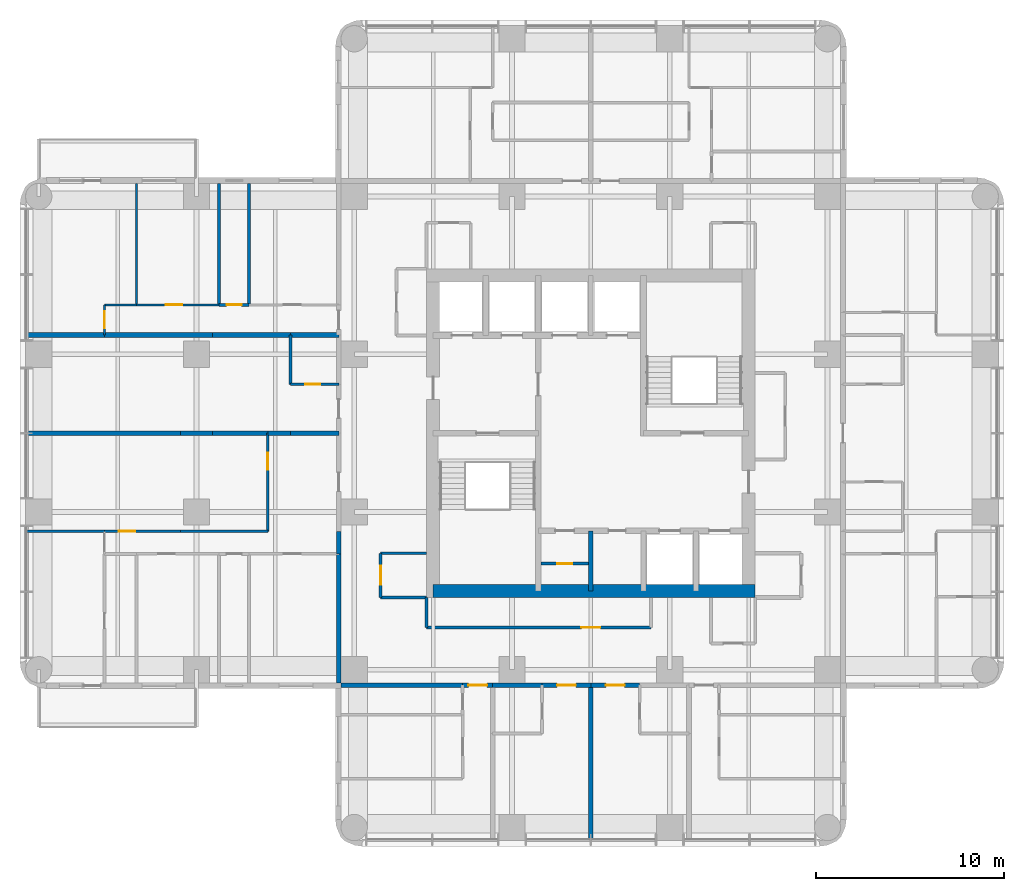
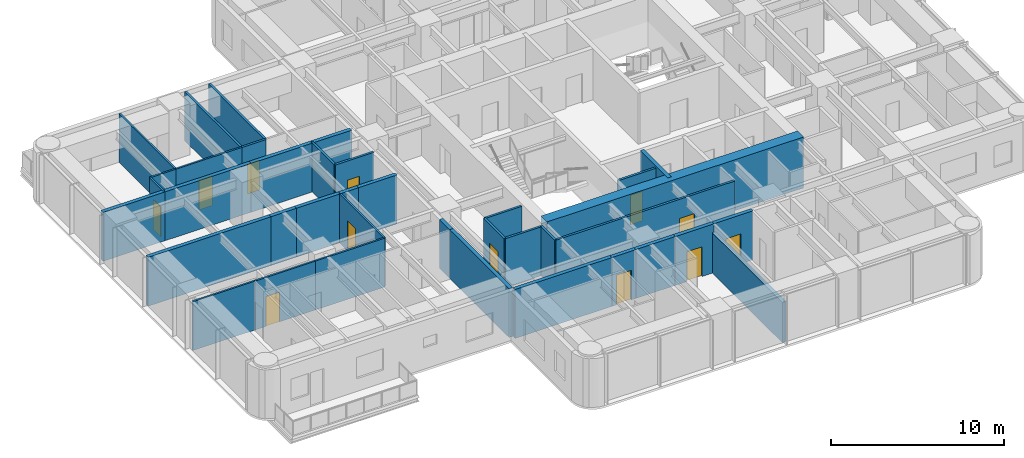
# One storey, part 5 of 11: 38 walls, 12 doors, 12 openings.
"""IFC4 building model written with IfcOpenShell, lengths in metres."""

from ifc_helpers import new_model, si_unit, direction, frame, frame_2d, origin, place, context, subcontext, project, spatial, rectangle, extrude, material, layer, layer_set, type_object, element, fill, save


model = new_model("IFC4")

# Units and contexts
model_context = context("Model", 3, precision=1e-05, world=origin(), true_north=direction((0.0, 1.0)))
body_context = subcontext(model_context, "Body", "Model", "MODEL_VIEW")
ifc_project = project(units=[si_unit("LENGTHUNIT", "METRE"), si_unit("AREAUNIT", "SQUARE_METRE"), si_unit("VOLUMEUNIT", "CUBIC_METRE"), si_unit("PLANEANGLEUNIT", "RADIAN"), si_unit("MASSUNIT", "GRAM", prefix="KILO")], contexts=[model_context])

# Site, building, storey
site_placement = place(None, origin())
site = spatial("IfcSite", under=ifc_project, at=site_placement, CompositionType="ELEMENT")
building_placement = place(site_placement, origin())
building = spatial("IfcBuilding", under=site, at=building_placement, Name="Torre Alcanfor", CompositionType="ELEMENT")
storey_placement = place(building_placement, frame((0.0, 0.0, 233.699951171875)))
storey = spatial("IfcBuildingStorey", under=building, at=storey_placement, Name="L61", CompositionType="ELEMENT", Elevation=233.699951171875)

# Wall, opening, door
ifc_material_1 = material(Name="Concrete block masonry, hollow blocks NMX-C-404 9 MPa", Category="masonry")
ifc_layer_1 = layer(ifc_material_1, 0.25)
ifc_layer_set_1 = layer_set([ifc_layer_1], Name="Apartment entrance wall 250 EI 60")
wall_type_1 = type_object("IfcWallType", Name="Apartment entrance wall 250 EI 60", PredefinedType="PARTITIONING", material=ifc_layer_set_1)
wall_1_placement = place(storey_placement, frame((32.0, 15.97509765625, 0.0), z_axis=(0.0, 0.0, 1.0), x_axis=(-1.0, 0.0, 0.0)))
wall_1 = element("IfcWall", 1, at=wall_1_placement, inside=storey, type_object=wall_type_1, Name="Partition L61-CORR / L61-S1A-STUDIO", PredefinedType="PARTITIONING", context=body_context, shape_type="SweptSolid", body=[
    extrude(rectangle(XDim=2.60009765625, YDim=0.25, at=frame_2d((1.300048828125, 0.0))), origin(), (0.0, 0.0, 1.0), 3.449951171875),
])
opening_1_placement = place(wall_1_placement, frame((0.800048828125, 0.0, 0.0)))
opening_1 = element("IfcOpeningElement", 2, at=opening_1_placement, cuts=wall_1, Name="Opening D-A1", PredefinedType="OPENING", context=body_context, shape_type="SweptSolid", body=[
    extrude(rectangle(XDim=1.0, YDim=2.10009765625, at=frame_2d((0.5, 1.050048828125))), frame((0.0, 0.135009765625, 0.0), z_axis=(0.0, -1.0, 0.0), x_axis=(1.0, 0.0, 0.0)), (0.0, 0.0, 1.0), 0.27001953125),
])
ifc_material_2 = material(Name="Galvanised steel sheet ASTM A653", Category="steel")
door_type_1 = type_object("IfcDoorType", Name="Apartment entrance door FD60 1000x2100", OperationType="SINGLE_SWING_LEFT", PredefinedType="DOOR", material=ifc_material_2)
door_1_placement = place(opening_1_placement, origin())
door_1 = element("IfcDoor", 3, at=door_1_placement, inside=storey, type_object=door_type_1, Name="Apartment entrance L61-S1A", OperationType="SINGLE_SWING_LEFT", OverallHeight=2.10009765625, OverallWidth=1.0, PredefinedType="DOOR", context=body_context, shape_type="SweptSolid", body=[
    extrude(rectangle(XDim=1.0, YDim=2.10009765625, at=frame_2d((0.5, 1.050048828125))), frame((0.0, 0.02490234375, 0.0), z_axis=(0.0, -1.0, 0.0), x_axis=(1.0, 0.0, 0.0)), (0.0, 0.0, 1.0), 0.050048828125),
])
fill(opening_1, door_1)

wall_2_placement = place(storey_placement, frame((29.39990234375, 15.97509765625, 0.0), z_axis=(0.0, 0.0, 1.0), x_axis=(-1.0, 0.0, 0.0)))
wall_2 = element("IfcWall", 4, at=wall_2_placement, inside=storey, type_object=wall_type_1, Name="Partition L61-CORR / L61-S2A-STUDIO", PredefinedType="PARTITIONING", context=body_context, shape_type="SweptSolid", body=[
    extrude(rectangle(XDim=2.599853515625, YDim=0.25, at=frame_2d((1.2998046875, 0.0))), origin(), (0.0, 0.0, 1.0), 3.449951171875),
])
opening_2_placement = place(wall_2_placement, frame((0.800048828125, 0.0, 0.0)))
opening_2 = element("IfcOpeningElement", 5, at=opening_2_placement, cuts=wall_2, Name="Opening D-A1", PredefinedType="OPENING", context=body_context, shape_type="SweptSolid", body=[
    extrude(rectangle(XDim=1.0, YDim=2.10009765625, at=frame_2d((0.5, 1.050048828125))), frame((0.0, 0.135009765625, 0.0), z_axis=(0.0, -1.0, 0.0), x_axis=(1.0, 0.0, 0.0)), (0.0, 0.0, 1.0), 0.27001953125),
])
door_2_placement = place(opening_2_placement, origin())
door_2 = element("IfcDoor", 6, at=door_2_placement, inside=storey, type_object=door_type_1, Name="Apartment entrance L61-S2A", OperationType="SINGLE_SWING_LEFT", OverallHeight=2.10009765625, OverallWidth=1.0, PredefinedType="DOOR", context=body_context, shape_type="SweptSolid", body=[
    extrude(rectangle(XDim=1.0, YDim=2.10009765625, at=frame_2d((0.5, 1.050048828125))), frame((0.0, 0.02490234375, 0.0), z_axis=(0.0, -1.0, 0.0), x_axis=(1.0, 0.0, 0.0)), (0.0, 0.0, 1.0), 0.050048828125),
])
fill(opening_2, door_2)

# Wall
wall_3_placement = place(storey_placement, frame((26.800048828125, 15.97509765625, 0.0), z_axis=(0.0, 0.0, 1.0), x_axis=(-1.0, 0.0, 0.0)))
element("IfcWall", 7, at=wall_3_placement, inside=storey, type_object=wall_type_1, Name="Partition L61-CORR / L61-S2A-BATH", PredefinedType="PARTITIONING", context=body_context, shape_type="SweptSolid", body=[
    extrude(rectangle(XDim=2.629150390625, YDim=0.25, at=frame_2d((1.314453125, 0.0))), origin(), (0.0, 0.0, 1.0), 3.449951171875),
])

# Wall, opening, door
wall_4_placement = place(storey_placement, frame((24.1708984375, 15.97509765625, 0.0), z_axis=(0.0, 0.0, 1.0), x_axis=(-1.0, 0.0, 0.0)))
wall_4 = element("IfcWall", 8, at=wall_4_placement, inside=storey, type_object=wall_type_1, Name="Partition L61-CORR / L61-S2B-LIVING", PredefinedType="PARTITIONING", context=body_context, shape_type="SweptSolid", body=[
    extrude(rectangle(XDim=1.599853515625, YDim=0.25, at=frame_2d((0.7998046875, 0.0))), origin(), (0.0, 0.0, 1.0), 3.449951171875),
])
opening_3_placement = place(wall_4_placement, frame((0.300048828125, 0.0, 0.0)))
opening_3 = element("IfcOpeningElement", 9, at=opening_3_placement, cuts=wall_4, Name="Opening D-A1", PredefinedType="OPENING", context=body_context, shape_type="SweptSolid", body=[
    extrude(rectangle(XDim=1.0, YDim=2.10009765625, at=frame_2d((0.5, 1.050048828125))), frame((0.0, 0.135009765625, 0.0), z_axis=(0.0, -1.0, 0.0), x_axis=(1.0, 0.0, 0.0)), (0.0, 0.0, 1.0), 0.27001953125),
])
door_3_placement = place(opening_3_placement, origin())
door_3 = element("IfcDoor", 10, at=door_3_placement, inside=storey, type_object=door_type_1, Name="Apartment entrance L61-S2B", OperationType="SINGLE_SWING_LEFT", OverallHeight=2.10009765625, OverallWidth=1.0, PredefinedType="DOOR", context=body_context, shape_type="SweptSolid", body=[
    extrude(rectangle(XDim=1.0, YDim=2.10009765625, at=frame_2d((0.5, 1.050048828125))), frame((0.0, 0.02490234375, 0.0), z_axis=(0.0, -1.0, 0.0), x_axis=(1.0, 0.0, 0.0)), (0.0, 0.0, 1.0), 0.050048828125),
])
fill(opening_3, door_3)

# Walls
wall_5_placement = place(storey_placement, frame((22.571044921875, 15.97509765625, 0.0), z_axis=(0.0, 0.0, 1.0), x_axis=(-1.0, 0.0, 0.0)))
element("IfcWall", 11, at=wall_5_placement, inside=storey, type_object=wall_type_1, Name="Partition L61-CORR / L61-S2B-BATH", PredefinedType="PARTITIONING", context=body_context, shape_type="SweptSolid", body=[
    extrude(rectangle(XDim=6.470947265625, YDim=0.25, at=frame_2d((3.2353515625, 0.0))), origin(), (0.0, 0.0, 1.0), 3.449951171875),
])
wall_6_placement = place(storey_placement, frame((15.97509765625, 22.970947265625, 0.0), z_axis=(0.0, 0.0, 1.0), x_axis=(0.0, 1.0, 0.0)))
element("IfcWall", 12, at=wall_6_placement, inside=storey, type_object=wall_type_1, Name="Partition L61-CORR / L61-W1-HALL", PredefinedType="PARTITIONING", context=body_context, shape_type="SweptSolid", body=[
    extrude(rectangle(XDim=1.199951171875, YDim=0.25, at=frame_2d((0.60009765625, 0.0))), origin(), (0.0, 0.0, 1.0), 3.449951171875),
])
wall_7_placement = place(storey_placement, frame((15.97509765625, 16.10009765625, 0.0), z_axis=(0.0, 0.0, 1.0), x_axis=(0.0, 1.0, 0.0)))
element("IfcWall", 13, at=wall_7_placement, inside=storey, type_object=wall_type_1, Name="Partition L61-CORR / L61-W1-BED3", PredefinedType="PARTITIONING", context=body_context, shape_type="SweptSolid", body=[
    extrude(rectangle(XDim=6.870849609375, YDim=0.25, at=frame_2d((3.435546875, 0.0))), origin(), (0.0, 0.0, 1.0), 3.449951171875),
])

# Wall, opening, door
ifc_material_3 = material(Name="Gypsum board on steel studs", Category="steel")
ifc_layer_2 = layer(ifc_material_3, 0.1201171875)
ifc_layer_set_2 = layer_set([ifc_layer_2], Name="Apartment partition 120")
wall_type_2 = type_object("IfcWallType", Name="Apartment partition 120", PredefinedType="PARTITIONING", material=ifc_layer_set_2)
wall_8_placement = place(storey_placement, frame((12.199951171875, 29.39990234375, 0.0), z_axis=(0.0, 0.0, 1.0), x_axis=(0.0, -1.0, 0.0)))
wall_8 = element("IfcWall", 14, at=wall_8_placement, inside=storey, type_object=wall_type_2, Name="Partition L61-W1-ZAG / L61-W1-KITCHEN", PredefinedType="PARTITIONING", context=body_context, shape_type="SweptSolid", body=[
    extrude(rectangle(XDim=5.22900390625, YDim=0.1201171875, at=frame_2d((2.614501953125, 0.0))), origin(), (0.0, 0.0, 1.0), 3.449951171875),
])
opening_4_placement = place(wall_8_placement, frame((1.050048828125, 0.0, 0.0)))
opening_4 = element("IfcOpeningElement", 15, at=opening_4_placement, cuts=wall_8, Name="Opening D-R1", PredefinedType="OPENING", context=body_context, shape_type="SweptSolid", body=[
    extrude(rectangle(XDim=0.89990234375, YDim=2.10009765625, at=frame_2d((0.449951171875, 1.050048828125))), frame((0.0, 0.070068359375, 0.0), z_axis=(0.0, -1.0, 0.0), x_axis=(1.0, 0.0, 0.0)), (0.0, 0.0, 1.0), 0.14013671875),
])
ifc_material_4 = material(Name="Timber", Category="wood")
door_type_2 = type_object("IfcDoorType", Name="Internal door 900x2100", OperationType="SINGLE_SWING_LEFT", PredefinedType="DOOR", material=ifc_material_4)
door_4_placement = place(opening_4_placement, frame((0.89990234375, 0.0, 0.0), z_axis=(0.0, 0.0, 1.0), x_axis=(-1.0, 0.0, 0.0)))
door_4 = element("IfcDoor", 16, at=door_4_placement, inside=storey, type_object=door_type_2, Name="Door L61-W1 kitchen", OperationType="SINGLE_SWING_RIGHT", OverallHeight=2.10009765625, OverallWidth=0.89990234375, PredefinedType="DOOR", context=body_context, shape_type="SweptSolid", body=[
    extrude(rectangle(XDim=0.89990234375, YDim=2.10009765625, at=frame_2d((0.449951171875, 1.050048828125))), frame((0.0, 0.025146484375, 0.0), z_axis=(0.0, -1.0, 0.0), x_axis=(1.0, 0.0, 0.0)), (0.0, 0.0, 1.0), 0.050048828125),
])
fill(opening_4, door_4)

# Wall
wall_9_placement = place(storey_placement, frame((7.550048828125, 24.1708984375, 0.0), z_axis=(0.0, 0.0, 1.0), x_axis=(1.0, 0.0, 0.0)))
element("IfcWall", 17, at=wall_9_placement, inside=storey, type_object=wall_type_2, Name="Partition L61-W1-KITCHEN / L61-W1-HALL", PredefinedType="PARTITIONING", context=body_context, shape_type="SweptSolid", body=[
    extrude(rectangle(XDim=4.64990234375, YDim=0.1201171875, at=frame_2d((2.324951171875, 0.0))), origin(), (0.0, 0.0, 1.0), 3.449951171875),
])

# Wall, opening, door
wall_10_placement = place(storey_placement, frame((3.5, 24.1708984375, 0.0), z_axis=(0.0, 0.0, 1.0), x_axis=(1.0, 0.0, 0.0)))
wall_10 = element("IfcWall", 18, at=wall_10_placement, inside=storey, type_object=wall_type_2, Name="Partition L61-W1-LIVING / L61-W1-HALL", PredefinedType="PARTITIONING", context=body_context, shape_type="SweptSolid", body=[
    extrude(rectangle(XDim=4.050048828125, YDim=0.1201171875, at=frame_2d((2.02490234375, 0.0))), origin(), (0.0, 0.0, 1.0), 3.449951171875),
])
opening_5_placement = place(wall_10_placement, frame((0.75, 0.0, 0.0)))
opening_5 = element("IfcOpeningElement", 19, at=opening_5_placement, cuts=wall_10, Name="Opening D-R1", PredefinedType="OPENING", context=body_context, shape_type="SweptSolid", body=[
    extrude(rectangle(XDim=0.89990234375, YDim=2.10009765625, at=frame_2d((0.449951171875, 1.050048828125))), frame((0.0, 0.070068359375, 0.0), z_axis=(0.0, -1.0, 0.0), x_axis=(1.0, 0.0, 0.0)), (0.0, 0.0, 1.0), 0.14013671875),
])
door_5_placement = place(opening_5_placement, origin())
door_5 = element("IfcDoor", 20, at=door_5_placement, inside=storey, type_object=door_type_2, Name="Door L61-W1 living", OperationType="SINGLE_SWING_RIGHT", OverallHeight=2.10009765625, OverallWidth=0.89990234375, PredefinedType="DOOR", context=body_context, shape_type="SweptSolid", body=[
    extrude(rectangle(XDim=0.89990234375, YDim=2.10009765625, at=frame_2d((0.449951171875, 1.050048828125))), frame((0.0, 0.02490234375, 0.0), z_axis=(0.0, -1.0, 0.0), x_axis=(1.0, 0.0, 0.0)), (0.0, 0.0, 1.0), 0.050048828125),
])
fill(opening_5, door_5)

# Wall
wall_11_placement = place(storey_placement, frame((-0.64990234375, 24.1708984375, 0.0), z_axis=(0.0, 0.0, 1.0), x_axis=(1.0, 0.0, 0.0)))
element("IfcWall", 21, at=wall_11_placement, inside=storey, type_object=wall_type_2, Name="Partition L61-W1-LIVING / L61-W1-MASTER", PredefinedType="PARTITIONING", context=body_context, shape_type="SweptSolid", body=[
    extrude(rectangle(XDim=4.14990234375, YDim=0.1201171875, at=frame_2d((2.074951171875, 0.0))), origin(), (0.0, 0.0, 1.0), 3.449951171875),
])

# Wall, opening, door
wall_12_placement = place(storey_placement, frame((5.199951171875, 36.22900390625, 0.0), z_axis=(0.0, 0.0, 1.0), x_axis=(1.0, 0.0, 0.0)))
wall_12 = element("IfcWall", 22, at=wall_12_placement, inside=storey, type_object=wall_type_2, Name="Partition L61-W2B-HALL / L61-W2B-STUDY", PredefinedType="PARTITIONING", context=body_context, shape_type="SweptSolid", body=[
    extrude(rectangle(XDim=4.400146484375, YDim=0.1201171875, at=frame_2d((2.2001953125, 0.0))), origin(), (0.0, 0.0, 1.0), 3.449951171875),
])
opening_6_placement = place(wall_12_placement, frame((1.550048828125, 0.0, 0.0)))
opening_6 = element("IfcOpeningElement", 23, at=opening_6_placement, cuts=wall_12, Name="Opening D-R1", PredefinedType="OPENING", context=body_context, shape_type="SweptSolid", body=[
    extrude(rectangle(XDim=0.89990234375, YDim=2.10009765625, at=frame_2d((0.449951171875, 1.050048828125))), frame((0.0, 0.070068359375, 0.0), z_axis=(0.0, -1.0, 0.0), x_axis=(1.0, 0.0, 0.0)), (0.0, 0.0, 1.0), 0.14013671875),
])
door_6_placement = place(opening_6_placement, origin())
door_6 = element("IfcDoor", 24, at=door_6_placement, inside=storey, type_object=door_type_2, Name="Door L61-W2B study", OperationType="SINGLE_SWING_LEFT", OverallHeight=2.10009765625, OverallWidth=0.89990234375, PredefinedType="DOOR", context=body_context, shape_type="SweptSolid", body=[
    extrude(rectangle(XDim=0.89990234375, YDim=2.10009765625, at=frame_2d((0.449951171875, 1.050048828125))), frame((0.0, 0.02490234375, 0.0), z_axis=(0.0, -1.0, 0.0), x_axis=(1.0, 0.0, 0.0)), (0.0, 0.0, 1.0), 0.050048828125),
])
fill(opening_6, door_6)

# Wall
wall_13_placement = place(storey_placement, frame((3.5, 36.22900390625, 0.0), z_axis=(0.0, 0.0, 1.0), x_axis=(1.0, 0.0, 0.0)))
element("IfcWall", 25, at=wall_13_placement, inside=storey, type_object=wall_type_2, Name="Partition L61-W2B-HALL / L61-W2B-KITCHEN", PredefinedType="PARTITIONING", context=body_context, shape_type="SweptSolid", body=[
    extrude(rectangle(XDim=1.699951171875, YDim=0.1201171875, at=frame_2d((0.85009765625, 0.0))), origin(), (0.0, 0.0, 1.0), 3.449951171875),
])

# Wall, opening, door
wall_14_placement = place(storey_placement, frame((3.5, 34.62890625, 0.0), z_axis=(0.0, 0.0, 1.0), x_axis=(0.0, 1.0, 0.0)))
wall_14 = element("IfcWall", 26, at=wall_14_placement, inside=storey, type_object=wall_type_2, Name="Partition L61-W2B-HALL / L61-W2B-LIVING", PredefinedType="PARTITIONING", context=body_context, shape_type="SweptSolid", body=[
    extrude(rectangle(XDim=1.60009765625, YDim=0.1201171875, at=frame_2d((0.800048828125, 0.0))), origin(), (0.0, 0.0, 1.0), 3.449951171875),
])
opening_7_placement = place(wall_14_placement, frame((0.35009765625, 0.0, 0.0)))
opening_7 = element("IfcOpeningElement", 27, at=opening_7_placement, cuts=wall_14, Name="Opening D-R1", PredefinedType="OPENING", context=body_context, shape_type="SweptSolid", body=[
    extrude(rectangle(XDim=0.89990234375, YDim=2.10009765625, at=frame_2d((0.449951171875, 1.050048828125))), frame((0.0, 0.070068359375, 0.0), z_axis=(0.0, -1.0, 0.0), x_axis=(1.0, 0.0, 0.0)), (0.0, 0.0, 1.0), 0.14013671875),
])
door_7_placement = place(opening_7_placement, origin())
door_7 = element("IfcDoor", 28, at=door_7_placement, inside=storey, type_object=door_type_2, Name="Door L61-W2B living", OperationType="SINGLE_SWING_LEFT", OverallHeight=2.10009765625, OverallWidth=0.89990234375, PredefinedType="DOOR", context=body_context, shape_type="SweptSolid", body=[
    extrude(rectangle(XDim=0.89990234375, YDim=2.10009765625, at=frame_2d((0.449951171875, 1.050048828125))), frame((0.0, 0.02490234375, 0.0), z_axis=(0.0, -1.0, 0.0), x_axis=(1.0, 0.0, 0.0)), (0.0, 0.0, 1.0), 0.050048828125),
])
fill(opening_7, door_7)

# Walls
wall_15_placement = place(storey_placement, frame((5.199951171875, 36.22900390625, 0.0), z_axis=(0.0, 0.0, 1.0), x_axis=(0.0, 1.0, 0.0)))
element("IfcWall", 29, at=wall_15_placement, inside=storey, type_object=wall_type_2, Name="Partition L61-W2B-STUDY / L61-W2B-KITCHEN", PredefinedType="PARTITIONING", context=body_context, shape_type="SweptSolid", body=[
    extrude(rectangle(XDim=6.470947265625, YDim=0.1201171875, at=frame_2d((3.2353515625, 0.0))), origin(), (0.0, 0.0, 1.0), 3.449951171875),
])
ifc_material_5 = material(Name="Concrete f'c 70 MPa", Category="concrete")
ifc_layer_3 = layer(ifc_material_5, 0.25)
ifc_layer_set_3 = layer_set([ifc_layer_3], Name="Core shaft wall 250 f'c70")
wall_type_3 = type_object("IfcWallType", Name="Core shaft wall 250 f'c70", PredefinedType="SHEAR", material=ifc_layer_set_3)
wall_16_placement = place(storey_placement, frame((29.39990234375, 21.0, 0.0), z_axis=(0.0, 0.0, 1.0), x_axis=(0.0, 1.0, 0.0)))
element("IfcWall", 30, at=wall_16_placement, inside=storey, type_object=wall_type_3, Name="Core wall X294S L61", PredefinedType="SHEAR", context=body_context, shape_type="SweptSolid", body=[
    extrude(rectangle(XDim=3.199951171875, YDim=0.25, at=frame_2d((1.60009765625, 0.0))), origin(), (0.0, 0.0, 1.0), 3.60009765625),
])
ifc_material_6 = material(Name="Concrete f'c 70 MPa", Category="concrete")
ifc_layer_4 = layer(ifc_material_6, 0.699951171875)
ifc_layer_set_4 = layer_set([ifc_layer_4], Name="Core wall 700 f'c70")
wall_type_4 = type_object("IfcWallType", Name="Core wall 700 f'c70", PredefinedType="SHEAR", material=ifc_layer_set_4)
wall_17_placement = place(storey_placement, frame((21.0, 21.0, 0.0), z_axis=(0.0, 0.0, 1.0), x_axis=(1.0, 0.0, 0.0)))
element("IfcWall", 31, at=wall_17_placement, inside=storey, type_object=wall_type_4, Name="Core wall OUT-S L61", PredefinedType="SHEAR", context=body_context, shape_type="SweptSolid", body=[
    extrude(rectangle(XDim=17.14990234375, YDim=0.699951171875, at=frame_2d((8.574951171875, 0.0))), origin(), (0.0, 0.0, 1.0), 3.60009765625),
])
ifc_material_7 = material(Name="Concrete block masonry, hollow blocks NMX-C-404 9 MPa", Category="masonry")
ifc_layer_5 = layer(ifc_material_7, 0.25)
ifc_layer_set_5 = layer_set([ifc_layer_5], Name="Party wall 250 EI 60")
wall_type_5 = type_object("IfcWallType", Name="Party wall 250 EI 60", PredefinedType="PARTITIONING", material=ifc_layer_set_5)
wall_18_placement = place(storey_placement, frame((29.39990234375, 7.75, 0.0), z_axis=(0.0, 0.0, 1.0), x_axis=(0.0, 1.0, 0.0)))
element("IfcWall", 32, at=wall_18_placement, inside=storey, type_object=wall_type_5, Name="Partition L61-S1A-STUDIO / L61-S2A-STUDIO", PredefinedType="PARTITIONING", context=body_context, shape_type="SweptSolid", body=[
    extrude(rectangle(XDim=8.22509765625, YDim=0.25, at=frame_2d((4.112548828125, 0.0))), origin(), (0.0, 0.0, 1.0), 2.84814453125),
])
wall_19_placement = place(storey_placement, frame((15.97509765625, 29.39990234375, 0.0), z_axis=(0.0, 0.0, 1.0), x_axis=(-1.0, 0.0, 0.0)))
element("IfcWall", 33, at=wall_19_placement, inside=storey, type_object=wall_type_5, Name="Partition L61-W1-ZAG / L61-W2A-FOYER", PredefinedType="PARTITIONING", context=body_context, shape_type="SweptSolid", body=[
    extrude(rectangle(XDim=2.5751953125, YDim=0.25, at=frame_2d((1.28759765625, 0.0))), origin(), (0.0, 0.0, 1.0), 3.449951171875),
])
wall_20_placement = place(storey_placement, frame((13.39990234375, 29.39990234375, 0.0), z_axis=(0.0, 0.0, 1.0), x_axis=(-1.0, 0.0, 0.0)))
element("IfcWall", 34, at=wall_20_placement, inside=storey, type_object=wall_type_5, Name="Partition L61-W1-ZAG / L61-W2A-KITCHEN", PredefinedType="PARTITIONING", context=body_context, shape_type="SweptSolid", body=[
    extrude(rectangle(XDim=1.199951171875, YDim=0.25, at=frame_2d((0.60009765625, 0.0))), origin(), (0.0, 0.0, 1.0), 3.449951171875),
])
wall_21_placement = place(storey_placement, frame((12.199951171875, 29.39990234375, 0.0), z_axis=(0.0, 0.0, 1.0), x_axis=(-1.0, 0.0, 0.0)))
element("IfcWall", 35, at=wall_21_placement, inside=storey, type_object=wall_type_5, Name="Partition L61-W1-KITCHEN / L61-W2A-KITCHEN", PredefinedType="PARTITIONING", context=body_context, shape_type="SweptSolid", body=[
    extrude(rectangle(XDim=2.949951171875, YDim=0.25, at=frame_2d((1.47509765625, 0.0))), origin(), (0.0, 0.0, 1.0), 3.449951171875),
])
wall_22_placement = place(storey_placement, frame((9.25, 29.39990234375, 0.0), z_axis=(0.0, 0.0, 1.0), x_axis=(-1.0, 0.0, 0.0)))
element("IfcWall", 36, at=wall_22_placement, inside=storey, type_object=wall_type_5, Name="Partition L61-W1-KITCHEN / L61-W2A-STUDIO", PredefinedType="PARTITIONING", context=body_context, shape_type="SweptSolid", body=[
    extrude(rectangle(XDim=1.699951171875, YDim=0.25, at=frame_2d((0.85009765625, 0.0))), origin(), (0.0, 0.0, 1.0), 3.449951171875),
])
wall_23_placement = place(storey_placement, frame((7.550048828125, 29.39990234375, 0.0), z_axis=(0.0, 0.0, 1.0), x_axis=(-1.0, 0.0, 0.0)))
element("IfcWall", 37, at=wall_23_placement, inside=storey, type_object=wall_type_5, Name="Partition L61-W1-LIVING / L61-W2A-STUDIO", PredefinedType="PARTITIONING", context=body_context, shape_type="SweptSolid", body=[
    extrude(rectangle(XDim=8.199951171875, YDim=0.25, at=frame_2d((4.10009765625, 0.0))), origin(), (0.0, 0.0, 1.0), 3.449951171875),
])
wall_24_placement = place(storey_placement, frame((13.39990234375, 34.62890625, 0.0), z_axis=(0.0, 0.0, 1.0), x_axis=(1.0, 0.0, 0.0)))
element("IfcWall", 38, at=wall_24_placement, inside=storey, type_object=wall_type_5, Name="Partition L61-W2A-BATH / L61-W2B-HALL", PredefinedType="PARTITIONING", context=body_context, shape_type="SweptSolid", body=[
    extrude(rectangle(XDim=2.5751953125, YDim=0.25, at=frame_2d((1.28759765625, 0.0))), origin(), (0.0, 0.0, 1.0), 3.449951171875),
])
wall_25_placement = place(storey_placement, frame((9.25, 34.62890625, 0.0), z_axis=(0.0, 0.0, 1.0), x_axis=(1.0, 0.0, 0.0)))
element("IfcWall", 39, at=wall_25_placement, inside=storey, type_object=wall_type_5, Name="Partition L61-W2A-KITCHEN / L61-W2B-HALL", PredefinedType="PARTITIONING", context=body_context, shape_type="SweptSolid", body=[
    extrude(rectangle(XDim=4.14990234375, YDim=0.25, at=frame_2d((2.074951171875, 0.0))), origin(), (0.0, 0.0, 1.0), 3.449951171875),
])
wall_26_placement = place(storey_placement, frame((3.5, 34.62890625, 0.0), z_axis=(0.0, 0.0, 1.0), x_axis=(1.0, 0.0, 0.0)))
element("IfcWall", 40, at=wall_26_placement, inside=storey, type_object=wall_type_5, Name="Partition L61-W2A-STUDIO / L61-W2B-HALL", PredefinedType="PARTITIONING", context=body_context, shape_type="SweptSolid", body=[
    extrude(rectangle(XDim=5.75, YDim=0.25, at=frame_2d((2.875, 0.0))), origin(), (0.0, 0.0, 1.0), 3.449951171875),
])
wall_27_placement = place(storey_placement, frame((-0.64990234375, 34.62890625, 0.0), z_axis=(0.0, 0.0, 1.0), x_axis=(1.0, 0.0, 0.0)))
element("IfcWall", 41, at=wall_27_placement, inside=storey, type_object=wall_type_5, Name="Partition L61-W2A-STUDIO / L61-W2B-LIVING", PredefinedType="PARTITIONING", context=body_context, shape_type="SweptSolid", body=[
    extrude(rectangle(XDim=4.14990234375, YDim=0.25, at=frame_2d((2.074951171875, 0.0))), origin(), (0.0, 0.0, 1.0), 3.449951171875),
])
ifc_material_8 = material(Name="Concrete block masonry, hollow blocks NMX-C-404 9 MPa", Category="masonry")
ifc_layer_6 = layer(ifc_material_8, 0.14990234375)
ifc_layer_set_6 = layer_set([ifc_layer_6], Name="Residents' room partition 150")
wall_type_6 = type_object("IfcWallType", Name="Residents' room partition 150", PredefinedType="PARTITIONING", material=ifc_layer_set_6)
wall_28_placement = place(storey_placement, frame((20.64990234375, 20.64990234375, 0.0), z_axis=(0.0, 0.0, 1.0), x_axis=(0.0, -1.0, 0.0)))
element("IfcWall", 42, at=wall_28_placement, inside=storey, type_object=wall_type_6, Name="Partition L61-CORR / L61-G05", PredefinedType="PARTITIONING", context=body_context, shape_type="SweptSolid", body=[
    extrude(rectangle(XDim=1.599853515625, YDim=0.14990234375, at=frame_2d((0.7998046875, 0.0))), origin(), (0.0, 0.0, 1.0), 3.449951171875),
])

# Wall, opening, door
wall_29_placement = place(storey_placement, frame((20.64990234375, 19.050048828125, 0.0), z_axis=(0.0, 0.0, 1.0), x_axis=(1.0, 0.0, 0.0)))
wall_29 = element("IfcWall", 43, at=wall_29_placement, inside=storey, type_object=wall_type_6, Name="Partition L61-CORR / L61-G05", PredefinedType="PARTITIONING", context=body_context, shape_type="SweptSolid", body=[
    extrude(rectangle(XDim=11.9501953125, YDim=0.14990234375, at=frame_2d((5.97509765625, 0.0))), origin(), (0.0, 0.0, 1.0), 3.449951171875),
])
opening_8_placement = place(wall_29_placement, frame((8.25, 0.0, 0.0)))
opening_8 = element("IfcOpeningElement", 44, at=opening_8_placement, cuts=wall_29, Name="Opening D-M1", PredefinedType="OPENING", context=body_context, shape_type="SweptSolid", body=[
    extrude(rectangle(XDim=1.0, YDim=2.10009765625, at=frame_2d((0.5, 1.050048828125))), frame((0.0, 0.0849609375, 0.0), z_axis=(0.0, -1.0, 0.0), x_axis=(1.0, 0.0, 0.0)), (0.0, 0.0, 1.0), 0.169921875),
])
ifc_material_9 = material(Name="Timber", Category="wood")
door_type_3 = type_object("IfcDoorType", Name="Residents' room door 1000x2100", OperationType="SINGLE_SWING_LEFT", PredefinedType="DOOR", material=ifc_material_9)
door_8_placement = place(opening_8_placement, origin())
door_8 = element("IfcDoor", 45, at=door_8_placement, inside=storey, type_object=door_type_3, Name="Door L61-G05 quiet room", OperationType="SINGLE_SWING_RIGHT", OverallHeight=2.10009765625, OverallWidth=1.0, PredefinedType="DOOR", context=body_context, shape_type="SweptSolid", body=[
    extrude(rectangle(XDim=1.0, YDim=2.10009765625, at=frame_2d((0.5, 1.050048828125))), frame((0.0, 0.02490234375, 0.0), z_axis=(0.0, -1.0, 0.0), x_axis=(1.0, 0.0, 0.0)), (0.0, 0.0, 1.0), 0.050048828125),
])
fill(opening_8, door_8)

# Wall
wall_30_placement = place(storey_placement, frame((20.64990234375, 23.0, 0.0), z_axis=(0.0, 0.0, 1.0), x_axis=(-1.0, 0.0, 0.0)))
element("IfcWall", 46, at=wall_30_placement, inside=storey, type_object=wall_type_6, Name="Partition L61-CORR / L61-G07", PredefinedType="PARTITIONING", context=body_context, shape_type="SweptSolid", body=[
    extrude(rectangle(XDim=2.449951171875, YDim=0.14990234375, at=frame_2d((1.22509765625, 0.0))), origin(), (0.0, 0.0, 1.0), 3.449951171875),
])

# Wall, opening, door
wall_31_placement = place(storey_placement, frame((18.199951171875, 23.0, 0.0), z_axis=(0.0, 0.0, 1.0), x_axis=(0.0, -1.0, 0.0)))
wall_31 = element("IfcWall", 47, at=wall_31_placement, inside=storey, type_object=wall_type_6, Name="Partition L61-CORR / L61-G07", PredefinedType="PARTITIONING", context=body_context, shape_type="SweptSolid", body=[
    extrude(rectangle(XDim=2.35009765625, YDim=0.14990234375, at=frame_2d((1.175048828125, 0.0))), origin(), (0.0, 0.0, 1.0), 3.449951171875),
])
opening_9_placement = place(wall_31_placement, frame((0.675048828125, 0.0, 0.0)))
opening_9 = element("IfcOpeningElement", 48, at=opening_9_placement, cuts=wall_31, Name="Opening D-M1", PredefinedType="OPENING", context=body_context, shape_type="SweptSolid", body=[
    extrude(rectangle(XDim=1.0, YDim=2.10009765625, at=frame_2d((0.5, 1.050048828125))), frame((0.0, 0.0849609375, 0.0), z_axis=(0.0, -1.0, 0.0), x_axis=(1.0, 0.0, 0.0)), (0.0, 0.0, 1.0), 0.169921875),
])
door_9_placement = place(opening_9_placement, origin())
door_9 = element("IfcDoor", 49, at=door_9_placement, inside=storey, type_object=door_type_3, Name="Door L61-G07 residents' storage", OperationType="SINGLE_SWING_LEFT", OverallHeight=2.10009765625, OverallWidth=1.0, PredefinedType="DOOR", context=body_context, shape_type="SweptSolid", body=[
    extrude(rectangle(XDim=1.0, YDim=2.10009765625, at=frame_2d((0.5, 1.050048828125))), frame((0.0, 0.02490234375, 0.0), z_axis=(0.0, -1.0, 0.0), x_axis=(1.0, 0.0, 0.0)), (0.0, 0.0, 1.0), 0.050048828125),
])
fill(opening_9, door_9)

# Wall
wall_32_placement = place(storey_placement, frame((18.199951171875, 20.64990234375, 0.0), z_axis=(0.0, 0.0, 1.0), x_axis=(1.0, 0.0, 0.0)))
element("IfcWall", 50, at=wall_32_placement, inside=storey, type_object=wall_type_6, Name="Partition L61-CORR / L61-G07", PredefinedType="PARTITIONING", context=body_context, shape_type="SweptSolid", body=[
    extrude(rectangle(XDim=2.449951171875, YDim=0.14990234375, at=frame_2d((1.22509765625, 0.0))), origin(), (0.0, 0.0, 1.0), 3.449951171875),
])

# Wall, opening, door
wall_33_placement = place(storey_placement, frame((26.75, 22.449951171875, 0.0), z_axis=(0.0, 0.0, 1.0), x_axis=(1.0, 0.0, 0.0)))
wall_33 = element("IfcWall", 51, at=wall_33_placement, inside=storey, type_object=wall_type_6, Name="Partition L61-PA1R / L61-PA1C", PredefinedType="PARTITIONING", context=body_context, shape_type="SweptSolid", body=[
    extrude(rectangle(XDim=2.52490234375, YDim=0.14990234375, at=frame_2d((1.262451171875, 0.0))), origin(), (0.0, 0.0, 1.0), 3.449951171875),
])
opening_10_placement = place(wall_33_placement, frame((0.862548828125, 0.0, 0.0)))
opening_10 = element("IfcOpeningElement", 52, at=opening_10_placement, cuts=wall_33, Name="Opening D-R2", PredefinedType="OPENING", context=body_context, shape_type="SweptSolid", body=[
    extrude(rectangle(XDim=0.800048828125, YDim=2.10009765625, at=frame_2d((0.39990234375, 1.050048828125))), frame((0.0, 0.0849609375, 0.0), z_axis=(0.0, -1.0, 0.0), x_axis=(1.0, 0.0, 0.0)), (0.0, 0.0, 1.0), 0.169921875),
])
ifc_material_10 = material(Name="Timber", Category="wood")
door_type_4 = type_object("IfcDoorType", Name="Bathroom door 800x2100", OperationType="SINGLE_SWING_LEFT", PredefinedType="DOOR", material=ifc_material_10)
door_10_placement = place(opening_10_placement, frame((0.800048828125, 0.0, 0.0), z_axis=(0.0, 0.0, 1.0), x_axis=(-1.0, 0.0, 0.0)))
door_10 = element("IfcDoor", 53, at=door_10_placement, inside=storey, type_object=door_type_4, Name="Linen cupboard door L61", OperationType="SINGLE_SWING_RIGHT", OverallHeight=2.10009765625, OverallWidth=0.800048828125, PredefinedType="DOOR", context=body_context, shape_type="SweptSolid", body=[
    extrude(rectangle(XDim=0.800048828125, YDim=2.10009765625, at=frame_2d((0.400146484375, 1.050048828125))), frame((0.0, 0.025146484375, 0.0), z_axis=(0.0, -1.0, 0.0), x_axis=(1.0, 0.0, 0.0)), (0.0, 0.0, 1.0), 0.050048828125),
])
fill(opening_10, door_10)

ifc_material_11 = material(Name="Cement board on steel studs", Category="steel")
ifc_layer_7 = layer(ifc_material_11, 0.14990234375)
ifc_layer_set_7 = layer_set([ifc_layer_7], Name="Wet area partition 150")
wall_type_7 = type_object("IfcWallType", Name="Wet area partition 150", PredefinedType="PARTITIONING", material=ifc_layer_set_7)
wall_34_placement = place(storey_placement, frame((13.39990234375, 32.0, 0.0), z_axis=(0.0, 0.0, 1.0), x_axis=(1.0, 0.0, 0.0)))
wall_34 = element("IfcWall", 54, at=wall_34_placement, inside=storey, type_object=wall_type_7, Name="Partition L61-W2A-FOYER / L61-W2A-BATH", PredefinedType="PARTITIONING", context=body_context, shape_type="SweptSolid", body=[
    extrude(rectangle(XDim=2.5751953125, YDim=0.14990234375, at=frame_2d((1.28759765625, 0.0))), origin(), (0.0, 0.0, 1.0), 3.449951171875),
])
opening_11_placement = place(wall_34_placement, frame((0.800048828125, 0.0, 0.0)))
opening_11 = element("IfcOpeningElement", 55, at=opening_11_placement, cuts=wall_34, Name="Opening D-R2", PredefinedType="OPENING", context=body_context, shape_type="SweptSolid", body=[
    extrude(rectangle(XDim=0.800048828125, YDim=2.10009765625, at=frame_2d((0.39990234375, 1.050048828125))), frame((0.0, 0.0849609375, 0.0), z_axis=(0.0, -1.0, 0.0), x_axis=(1.0, 0.0, 0.0)), (0.0, 0.0, 1.0), 0.169921875),
])
door_11_placement = place(opening_11_placement, origin())
door_11 = element("IfcDoor", 56, at=door_11_placement, inside=storey, type_object=door_type_4, Name="Door L61-W2A bath", OperationType="SINGLE_SWING_LEFT", OverallHeight=2.10009765625, OverallWidth=0.800048828125, PredefinedType="DOOR", context=body_context, shape_type="SweptSolid", body=[
    extrude(rectangle(XDim=0.800048828125, YDim=2.10009765625, at=frame_2d((0.39990234375, 1.050048828125))), frame((0.0, 0.02490234375, 0.0), z_axis=(0.0, -1.0, 0.0), x_axis=(1.0, 0.0, 0.0)), (0.0, 0.0, 1.0), 0.050048828125),
])
fill(opening_11, door_11)

# Wall
wall_35_placement = place(storey_placement, frame((13.39990234375, 32.0, 0.0), z_axis=(0.0, 0.0, 1.0), x_axis=(0.0, 1.0, 0.0)))
element("IfcWall", 57, at=wall_35_placement, inside=storey, type_object=wall_type_7, Name="Partition L61-W2A-BATH / L61-W2A-KITCHEN", PredefinedType="PARTITIONING", context=body_context, shape_type="SweptSolid", body=[
    extrude(rectangle(XDim=2.62890625, YDim=0.14990234375, at=frame_2d((1.314453125, 0.0))), origin(), (0.0, 0.0, 1.0), 3.449951171875),
])

# Wall, opening, door
wall_36_placement = place(storey_placement, frame((9.60009765625, 36.22900390625, 0.0), z_axis=(0.0, 0.0, 1.0), x_axis=(1.0, 0.0, 0.0)))
wall_36 = element("IfcWall", 58, at=wall_36_placement, inside=storey, type_object=wall_type_7, Name="Partition L61-W2B-HALL / L61-W2B-BATH", PredefinedType="PARTITIONING", context=body_context, shape_type="SweptSolid", body=[
    extrude(rectangle(XDim=1.599853515625, YDim=0.14990234375, at=frame_2d((0.7998046875, 0.0))), origin(), (0.0, 0.0, 1.0), 3.449951171875),
])
opening_12_placement = place(wall_36_placement, frame((0.39990234375, 0.0, 0.0)))
opening_12 = element("IfcOpeningElement", 59, at=opening_12_placement, cuts=wall_36, Name="Opening D-R2", PredefinedType="OPENING", context=body_context, shape_type="SweptSolid", body=[
    extrude(rectangle(XDim=0.800048828125, YDim=2.10009765625, at=frame_2d((0.39990234375, 1.050048828125))), frame((0.0, 0.0849609375, 0.0), z_axis=(0.0, -1.0, 0.0), x_axis=(1.0, 0.0, 0.0)), (0.0, 0.0, 1.0), 0.169921875),
])
door_12_placement = place(opening_12_placement, origin())
door_12 = element("IfcDoor", 60, at=door_12_placement, inside=storey, type_object=door_type_4, Name="Door L61-W2B bath", OperationType="SINGLE_SWING_LEFT", OverallHeight=2.10009765625, OverallWidth=0.800048828125, PredefinedType="DOOR", context=body_context, shape_type="SweptSolid", body=[
    extrude(rectangle(XDim=0.800048828125, YDim=2.10009765625, at=frame_2d((0.39990234375, 1.050048828125))), frame((0.0, 0.02490234375, 0.0), z_axis=(0.0, -1.0, 0.0), x_axis=(1.0, 0.0, 0.0)), (0.0, 0.0, 1.0), 0.050048828125),
])
fill(opening_12, door_12)

# Walls
for number, where, z_axis, x_axis, name in (
    (61, (11.199951171875, 36.22900390625, 0.0), (0.0, 0.0, 1.0), (0.0, 1.0, 0.0), "Partition L61-W2B-MASTER / L61-W2B-BATH"),
    (62, (9.60009765625, 36.22900390625, 0.0), (0.0, 0.0, 1.0), (0.0, 1.0, 0.0), "Partition L61-W2B-BATH / L61-W2B-STUDY"),
):
    element("IfcWall", number, at=place(storey_placement, frame(where, z_axis=z_axis, x_axis=x_axis)), inside=storey, type_object=wall_type_7, Name=name, PredefinedType="PARTITIONING", context=body_context, shape_type="SweptSolid", body=[
        extrude(rectangle(XDim=6.470947265625, YDim=0.14990234375, at=frame_2d((3.2353515625, 0.0))), origin(), (0.0, 0.0, 1.0), 3.449951171875),
    ])

save(model, "model.ifc")
